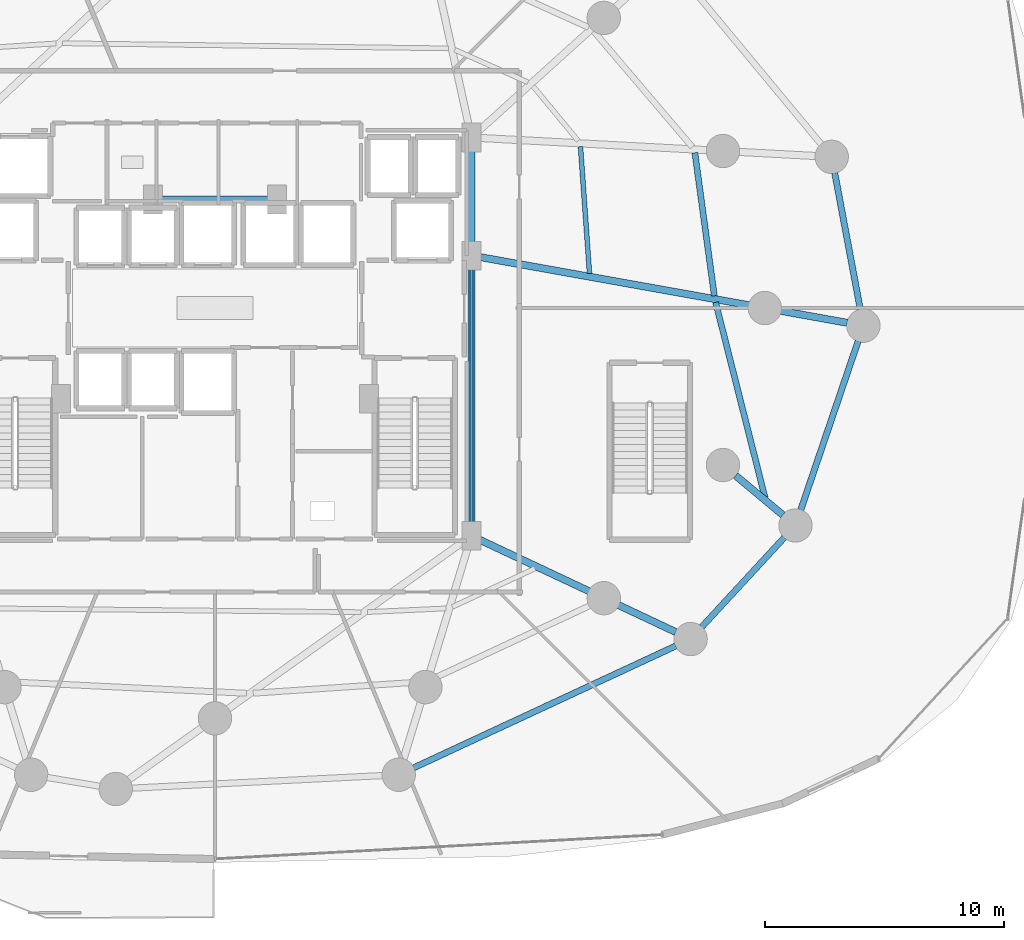
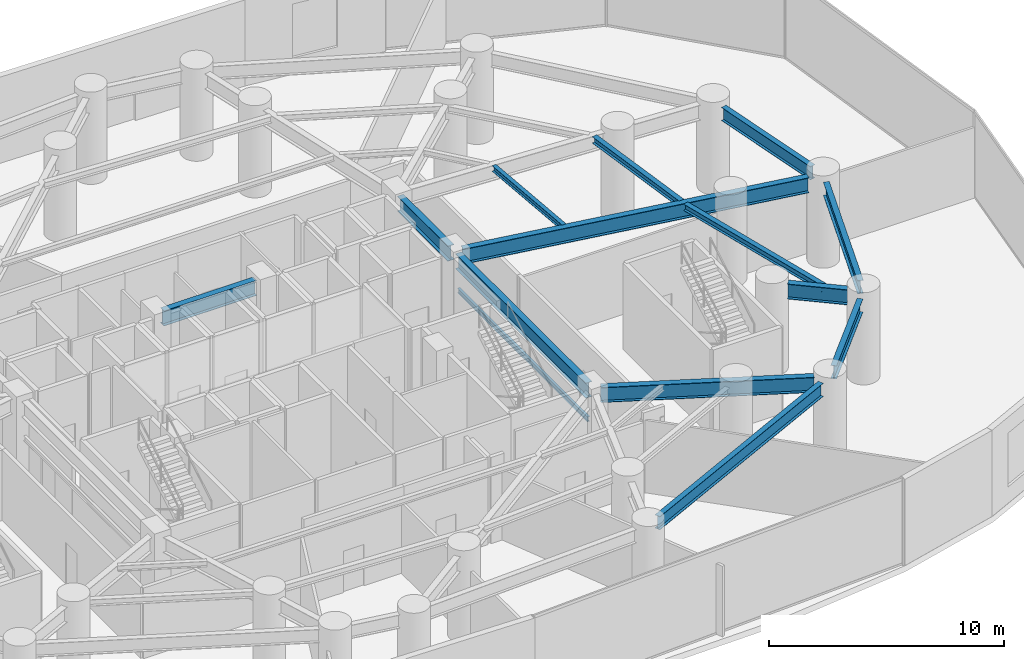
# One storey, part 12 of 30: 14 beams.
"""IFC4 building model written with IfcOpenShell, lengths in metres."""

from ifc_helpers import new_model, si_unit, direction, frame, origin, origin_2d, place, context, subcontext, project, spatial, i_section, extrude, material, material_profile, profile_set, type_object, element, save


model = new_model("IFC4")

# Units and contexts
model_context = context("Model", 3, precision=1e-05, world=origin(), true_north=direction((0.0, 1.0)))
body_context = subcontext(model_context, "Body", "Model", "MODEL_VIEW")
ifc_project = project(units=[si_unit("LENGTHUNIT", "METRE"), si_unit("AREAUNIT", "SQUARE_METRE"), si_unit("VOLUMEUNIT", "CUBIC_METRE"), si_unit("PLANEANGLEUNIT", "RADIAN"), si_unit("MASSUNIT", "GRAM", prefix="KILO")], contexts=[model_context])

# Site, building, storey
site_placement = place(None, origin())
site = spatial("IfcSite", under=ifc_project, at=site_placement, CompositionType="ELEMENT")
building_placement = place(site_placement, origin())
building = spatial("IfcBuilding", under=site, at=building_placement, Name="Vorneva Point Tower", CompositionType="ELEMENT")
storey_placement = place(building_placement, frame((0.0, 0.0, 9.60009765625)))
storey = spatial("IfcBuildingStorey", under=building, at=storey_placement, Name="L02", CompositionType="ELEMENT", Elevation=9.60009765625)

# Beams
ifc_material = material(Name="Steel S355", Category="steel")
ifc_material_profile_1 = material_profile(ifc_material, i_section(OverallWidth=0.300048828125, OverallDepth=0.7880859375, WebThickness=0.014404296875, FlangeThickness=0.02197265625, at=origin_2d()), Name="80Sh1")
ifc_profile_set_1 = profile_set([ifc_material_profile_1], Name="Steel S355")
beam_type_1 = type_object("IfcBeamType", Name="BM-GRD-80Sh1", PredefinedType="USERDEFINED", material=ifc_profile_set_1)
beam_1_placement = place(storey_placement, frame((64.5048828125, 25.382080078125, 4.0859375), z_axis=(-0.984378315353, 0.17606627236, 0.0), x_axis=(-0.17606627236, -0.984378315353, 0.0)))
element("IfcBeam", 1, at=beam_1_placement, inside=storey, type_object=beam_type_1, Name="L02 Radial Primary Girder 01", ObjectType="GIRDER", PredefinedType="USERDEFINED", context=body_context, shape_type="SweptSolid", body=[
    extrude(i_section(OverallWidth=0.300048828125, OverallDepth=0.7880859375, WebThickness=0.014404296875, FlangeThickness=0.02197265625, at=origin_2d()), origin(), (0.0, 0.0, 1.0), 15.664794921875),
])
beam_2_placement = place(storey_placement, frame((57.316162109375, 12.417236328125, 4.0859375), z_axis=(-0.904752620724, 0.425937431195, 0.0), x_axis=(-0.425937431195, -0.904752620724, 0.0)))
element("IfcBeam", 2, at=beam_2_placement, inside=storey, type_object=beam_type_1, Name="L02 Radial Primary Girder 15", ObjectType="GIRDER", PredefinedType="USERDEFINED", context=body_context, shape_type="SweptSolid", body=[
    extrude(i_section(OverallWidth=0.300048828125, OverallDepth=0.7880859375, WebThickness=0.014404296875, FlangeThickness=0.02197265625, at=origin_2d()), origin(), (0.0, 0.0, 1.0), 9.1279296875),
])
beam_3_placement = place(storey_placement, frame((61.80615234375, 17.326904296875, 4.0859375), z_axis=(-0.768407453213, 0.639960925249, 0.0), x_axis=(-0.639960925249, -0.768407453213, 0.0)))
element("IfcBeam", 3, at=beam_3_placement, inside=storey, type_object=beam_type_1, Name="L02 Radial Primary Girder 16", ObjectType="GIRDER", PredefinedType="USERDEFINED", context=body_context, shape_type="SweptSolid", body=[
    extrude(i_section(OverallWidth=0.300048828125, OverallDepth=0.7880859375, WebThickness=0.014404296875, FlangeThickness=0.02197265625, at=origin_2d()), origin(), (0.0, 0.0, 1.0), 2.579345703125),
])
beam_4_placement = place(storey_placement, frame((48.75, 16.77001953125, 4.0859375), z_axis=(0.0, 1.0, 0.0), x_axis=(-1.0, 0.0, 0.0)))
element("IfcBeam", 4, at=beam_4_placement, inside=storey, type_object=beam_type_1, Name="L02 Core Tie Girder CT3", ObjectType="GIRDER", PredefinedType="USERDEFINED", context=body_context, shape_type="SweptSolid", body=[
    extrude(i_section(OverallWidth=0.300048828125, OverallDepth=0.7880859375, WebThickness=0.014404296875, FlangeThickness=0.02197265625, at=origin_2d()), origin(), (0.0, 0.0, 1.0), 11.10986328125),
])
beam_5_placement = place(storey_placement, frame((48.75, 28.52001953125, 4.0859375), z_axis=(0.0, 1.0, 0.0), x_axis=(-1.0, 0.0, 0.0)))
element("IfcBeam", 5, at=beam_5_placement, inside=storey, type_object=beam_type_1, Name="L02 Core Tie Girder CT4", ObjectType="GIRDER", PredefinedType="USERDEFINED", context=body_context, shape_type="SweptSolid", body=[
    extrude(i_section(OverallWidth=0.300048828125, OverallDepth=0.7880859375, WebThickness=0.014404296875, FlangeThickness=0.02197265625, at=origin_2d()), origin(), (0.0, 0.0, 1.0), 4.31005859375),
])
beam_6_placement = place(storey_placement, frame((35.719970703125, 30.550048828125, 4.0859375), z_axis=(1.0, 0.0, 0.0), x_axis=(0.0, 1.0, 0.0)))
element("IfcBeam", 6, at=beam_6_placement, inside=storey, type_object=beam_type_1, Name="L02 Core Tie Girder CT8", ObjectType="GIRDER", PredefinedType="USERDEFINED", context=body_context, shape_type="SweptSolid", body=[
    extrude(i_section(OverallWidth=0.300048828125, OverallDepth=0.7880859375, WebThickness=0.014404296875, FlangeThickness=0.02197265625, at=origin_2d()), origin(), (0.0, 0.0, 1.0), 4.56005859375),
])
ifc_material_profile_2 = material_profile(ifc_material, i_section(OverallWidth=0.1240234375, OverallDepth=0.248046875, WebThickness=0.0048828125, FlangeThickness=0.008056640625, at=origin_2d()), Name="25B1")
ifc_profile_set_2 = profile_set([ifc_material_profile_2], Name="Steel S355")
beam_type_2 = type_object("IfcBeamType", Name="BM-LNT-25B1", PredefinedType="LINTEL", material=ifc_profile_set_2)
beam_7_placement = place(storey_placement, frame((48.75, 16.7900390625, 2.5498046875), z_axis=(0.0, 1.0, 0.0), x_axis=(-1.0, 0.0, 0.0)))
element("IfcBeam", 7, at=beam_7_placement, inside=storey, type_object=beam_type_2, Name="L02 Core Opening Lintel Beam E", PredefinedType="LINTEL", context=body_context, shape_type="SweptSolid", body=[
    extrude(i_section(OverallWidth=0.1240234375, OverallDepth=0.248046875, WebThickness=0.0048828125, FlangeThickness=0.008056640625, at=origin_2d()), origin(), (0.0, 0.0, 1.0), 11.070068359375),
])
ifc_material_profile_3 = material_profile(ifc_material, i_section(OverallWidth=0.199951171875, OverallDepth=0.291015625, WebThickness=0.008056640625, FlangeThickness=0.010986328125, at=origin_2d()), Name="30Sh1")
ifc_profile_set_3 = profile_set([ifc_material_profile_3], Name="Steel S355")
beam_type_3 = type_object("IfcBeamType", Name="BM-SEC-30Sh1", PredefinedType="BEAM", material=ifc_profile_set_3)
beam_8_placement = place(storey_placement, frame((53.700927734375, 27.4501953125, 4.33447265625), z_axis=(-0.070954072142, 0.997479583574, 0.0), x_axis=(-0.997479583574, -0.070954072142, 0.0)))
element("IfcBeam", 8, at=beam_8_placement, inside=storey, type_object=beam_type_3, Name="L02 Secondary Floor Beam 2.01", PredefinedType="BEAM", context=body_context, shape_type="SweptSolid", body=[
    extrude(i_section(OverallWidth=0.199951171875, OverallDepth=0.291015625, WebThickness=0.008056640625, FlangeThickness=0.010986328125, at=origin_2d()), origin(), (0.0, 0.0, 1.0), 5.329833984375),
])
ifc_material_profile_4 = material_profile(ifc_material, i_section(OverallWidth=0.2490234375, OverallDepth=0.333984375, WebThickness=0.008056640625, FlangeThickness=0.010986328125, at=origin_2d()), Name="35Sh1")
ifc_profile_set_4 = profile_set([ifc_material_profile_4], Name="Steel S355")
beam_type_4 = type_object("IfcBeamType", Name="BM-SEC-35Sh1", PredefinedType="BEAM", material=ifc_profile_set_4)
beam_9_placement = place(storey_placement, frame((58.934814453125, 26.51171875, 4.31298828125), z_axis=(-0.134947624746, 0.990852733041, 0.0), x_axis=(-0.990852733041, -0.134947624746, 0.0)))
element("IfcBeam", 9, at=beam_9_placement, inside=storey, type_object=beam_type_4, Name="L02 Secondary Floor Beam 1.01", PredefinedType="BEAM", context=body_context, shape_type="SweptSolid", body=[
    extrude(i_section(OverallWidth=0.2490234375, OverallDepth=0.333984375, WebThickness=0.008056640625, FlangeThickness=0.010986328125, at=origin_2d()), origin(), (0.0, 0.0, 1.0), 6.053466796875),
])
beam_10_placement = place(storey_placement, frame((61.058837890625, 18.0546875, 4.31298828125), z_axis=(-0.245310091404, 0.969444665288, 0.0), x_axis=(-0.969444665288, -0.245310091404, 0.0)))
element("IfcBeam", 10, at=beam_10_placement, inside=storey, type_object=beam_type_4, Name="L02 Secondary Floor Beam 1.16", PredefinedType="BEAM", context=body_context, shape_type="SweptSolid", body=[
    extrude(i_section(OverallWidth=0.2490234375, OverallDepth=0.333984375, WebThickness=0.008056640625, FlangeThickness=0.010986328125, at=origin_2d()), origin(), (0.0, 0.0, 1.0), 8.444580078125),
])
ifc_material_profile_5 = material_profile(ifc_material, i_section(OverallWidth=0.260009765625, OverallDepth=0.69091796875, WebThickness=0.011962890625, FlangeThickness=0.015380859375, at=origin_2d()), Name="70B1")
ifc_profile_set_5 = profile_set([ifc_material_profile_5], Name="Steel S355")
beam_type_5 = type_object("IfcBeamType", Name="BM-SPN-70B1", PredefinedType="SPANDREL", material=ifc_profile_set_5)
beam_11_placement = place(storey_placement, frame((65.055908203125, 25.93408203125, 4.134521484375), z_axis=(-0.184447841855, 0.982842303544, 0.0), x_axis=(-0.982842303544, -0.184447841855, 0.0)))
element("IfcBeam", 11, at=beam_11_placement, inside=storey, type_object=beam_type_5, Name="L02 Perimeter Spandrel Ring Beam 01", PredefinedType="SPANDREL", context=body_context, shape_type="SweptSolid", body=[
    extrude(i_section(OverallWidth=0.260009765625, OverallDepth=0.69091796875, WebThickness=0.011962890625, FlangeThickness=0.015380859375, at=origin_2d()), origin(), (0.0, 0.0, 1.0), 5.829345703125),
])
beam_12_placement = place(storey_placement, frame((46.32421875, 6.72412109375, 4.134521484375), z_axis=(0.906780557897, 0.421602917234, 0.0), x_axis=(-0.421602917234, 0.906780557897, 0.0)))
element("IfcBeam", 12, at=beam_12_placement, inside=storey, type_object=beam_type_5, Name="L02 Perimeter Spandrel Ring Beam 14", PredefinedType="SPANDREL", context=body_context, shape_type="SweptSolid", body=[
    extrude(i_section(OverallWidth=0.260009765625, OverallDepth=0.69091796875, WebThickness=0.011962890625, FlangeThickness=0.015380859375, at=origin_2d()), origin(), (0.0, 0.0, 1.0), 12.12353515625),
])
beam_13_placement = place(storey_placement, frame((58.4033203125, 12.62744140625, 4.134521484375), z_axis=(0.678290021617, 0.734794288611, 0.0), x_axis=(-0.734794288611, 0.678290021617, 0.0)))
element("IfcBeam", 13, at=beam_13_placement, inside=storey, type_object=beam_type_5, Name="L02 Perimeter Spandrel Ring Beam 15", PredefinedType="SPANDREL", context=body_context, shape_type="SweptSolid", body=[
    extrude(i_section(OverallWidth=0.260009765625, OverallDepth=0.69091796875, WebThickness=0.011962890625, FlangeThickness=0.015380859375, at=origin_2d()), origin(), (0.0, 0.0, 1.0), 5.111328125),
])
beam_14_placement = place(storey_placement, frame((62.555419921875, 17.534912109375, 4.134521484375), z_axis=(0.321895121583, 0.946775332749, 0.0), x_axis=(-0.946775332749, 0.321895121583, 0.0)))
element("IfcBeam", 14, at=beam_14_placement, inside=storey, type_object=beam_type_5, Name="L02 Perimeter Spandrel Ring Beam 16", PredefinedType="SPANDREL", context=body_context, shape_type="SweptSolid", body=[
    extrude(i_section(OverallWidth=0.260009765625, OverallDepth=0.69091796875, WebThickness=0.011962890625, FlangeThickness=0.015380859375, at=origin_2d()), origin(), (0.0, 0.0, 1.0), 7.475341796875),
])

save(model, "model.ifc")
